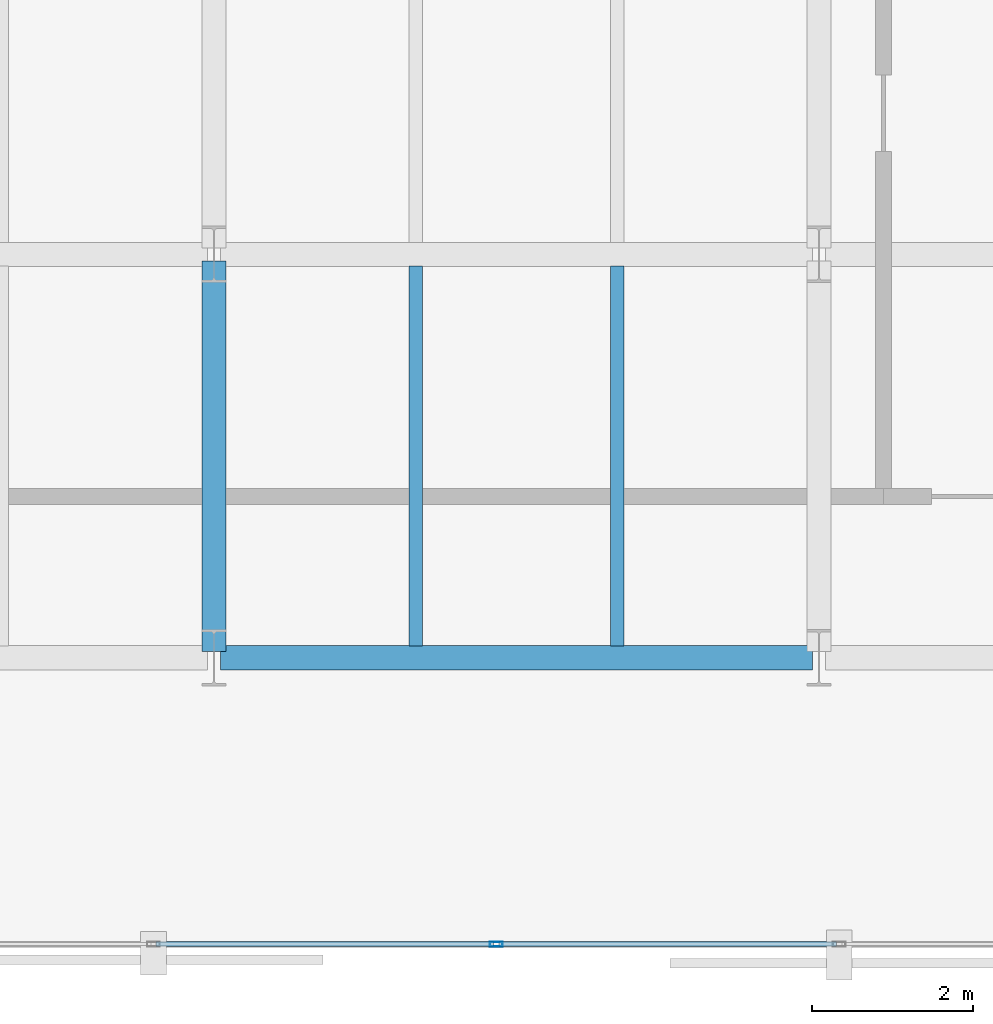
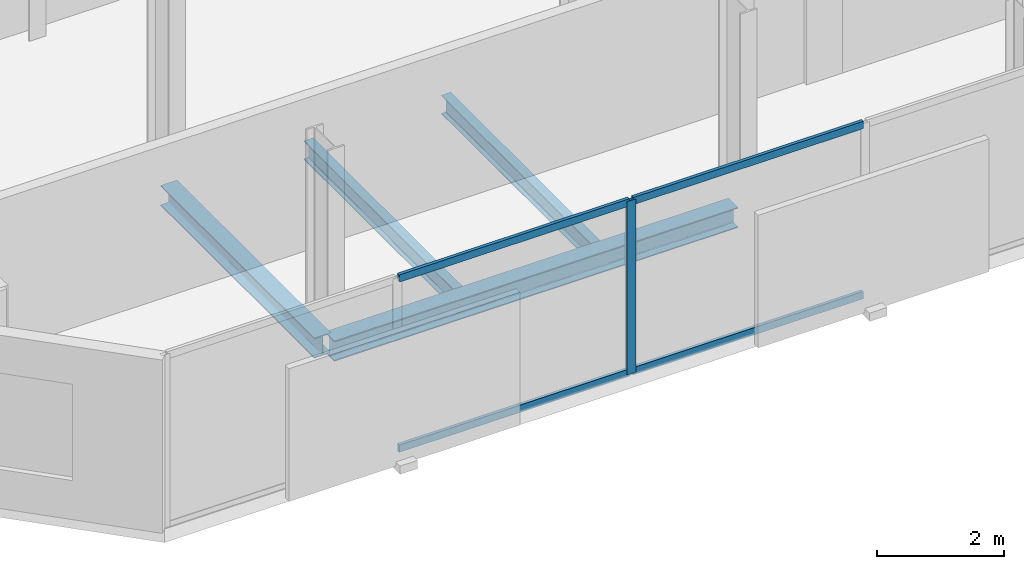
# One storey, part 4 of 32: 5 members, 4 beams, 1 element without a shape of its own.
"""IFC4 building model written with IfcOpenShell, lengths in metres."""

from ifc_helpers import new_model, si_unit, direction, frame, origin, origin_2d, place, context, subcontext, project, spatial, hollow_rectangle, i_section, extrude, material, layer, layer_set, material_profile, profile_set, type_object, element, aggregate, save


model = new_model("IFC4")

# Units and contexts
model_context = context("Model", 3, precision=1e-05, world=origin(), true_north=direction((0.0, 1.0)))
body_context = subcontext(model_context, "Body", "Model", "MODEL_VIEW")
ifc_project = project(units=[si_unit("LENGTHUNIT", "METRE"), si_unit("AREAUNIT", "SQUARE_METRE"), si_unit("VOLUMEUNIT", "CUBIC_METRE"), si_unit("PLANEANGLEUNIT", "RADIAN"), si_unit("MASSUNIT", "GRAM", prefix="KILO")], contexts=[model_context])

# Site, building, storey
site_placement = place(None, origin())
site = spatial("IfcSite", under=ifc_project, at=site_placement, CompositionType="ELEMENT")
building_placement = place(site_placement, origin())
building = spatial("IfcBuilding", under=site, at=building_placement, Name="Catumbela Crestline Tower", CompositionType="ELEMENT")
storey_placement = place(building_placement, frame((0.0, 0.0, 136.8)))
storey = spatial("IfcBuildingStorey", under=building, at=storey_placement, Name="L35", CompositionType="ELEMENT", Elevation=136.8)

# Beams
ifc_material_1 = material(Name="Structural steel S355J2", Category="steel")
ifc_material_profile_1 = material_profile(ifc_material_1, i_section(OverallWidth=0.3, OverallDepth=0.39, WebThickness=0.011, FlangeThickness=0.019, FilletRadius=0.027, at=origin_2d()), Name="HEA 400")
ifc_profile_set_1 = profile_set([ifc_material_profile_1], Name="Structural steel S355J2")
beam_type_1 = type_object("IfcBeamType", Name="BG-HEA400", PredefinedType="BEAM", material=ifc_profile_set_1)
beam_1_placement = place(storey_placement, frame((8.58, 8.6, -0.455), z_axis=(1.0, 0.0, 0.0), x_axis=(0.0, 1.0, 0.0)))
element("IfcBeam", 1, at=beam_1_placement, inside=storey, type_object=beam_type_1, Name="L35 Beam BM-L35-WEW44", PredefinedType="BEAM", context=body_context, shape_type="SweptSolid", body=[
    extrude(i_section(OverallWidth=0.3, OverallDepth=0.39, WebThickness=0.011, FlangeThickness=0.019, FilletRadius=0.027, at=origin_2d()), origin(), (0.0, 0.0, 1.0), 7.34),
])
beam_2_placement = place(storey_placement, frame((8.5, 8.68, -0.455), z_axis=(0.0, 1.0, 0.0), x_axis=(-1.0, 0.0, 0.0)))
element("IfcBeam", 2, at=beam_2_placement, inside=storey, type_object=beam_type_1, Name="L35 Beam BM-L35-WNS55", PredefinedType="BEAM", context=body_context, shape_type="SweptSolid", body=[
    extrude(i_section(OverallWidth=0.3, OverallDepth=0.39, WebThickness=0.011, FlangeThickness=0.019, FilletRadius=0.027, at=origin_2d()), origin(), (0.0, 0.0, 1.0), 4.84),
])
ifc_material_profile_2 = material_profile(ifc_material_1, i_section(OverallWidth=0.17, OverallDepth=0.36, WebThickness=0.008, FlangeThickness=0.0127, FilletRadius=0.018, at=origin_2d()), Name="IPE 360")
ifc_profile_set_2 = profile_set([ifc_material_profile_2], Name="Structural steel S355J2")
beam_type_2 = type_object("IfcBeamType", Name="BJ-IPE360", PredefinedType="JOIST", material=ifc_profile_set_2)
for number, where, z_axis, x_axis, name in (
    (3, (11.0, 8.747, -0.44), (0.0, 1.0, 0.0), (-1.0, 0.0, 0.0), "L35 Joist JS-L35-WG65"),
    (4, (13.5, 8.747, -0.44), (0.0, 1.0, 0.0), (-1.0, 0.0, 0.0), "L35 Joist JS-L35-WG66"),
):
    element("IfcBeam", number, at=place(storey_placement, frame(where, z_axis=z_axis, x_axis=x_axis)), inside=storey, type_object=beam_type_2, Name=name, PredefinedType="JOIST", context=body_context, shape_type="SweptSolid", body=[
        extrude(i_section(OverallWidth=0.17, OverallDepth=0.36, WebThickness=0.008, FlangeThickness=0.0127, FilletRadius=0.018, at=origin_2d()), origin(), (0.0, 0.0, 1.0), 4.706),
    ])

# Curtain wall, members
ifc_material_2 = material(Name="Aluminium alloy AW-6060-T66", Category="aluminium")
ifc_layer = layer(ifc_material_2, 0.18, Name="Aluminium alloy AW-6060-T66")
ifc_layer_set = layer_set([ifc_layer], Name="Aluminium alloy AW-6060-T66")
curtain_wall_type = type_object("IfcCurtainWallType", Name="CWU-Z2", PredefinedType="USERDEFINED", material=ifc_layer_set)
curtain_wall_placement = place(storey_placement, origin())
curtain_wall = element("IfcCurtainWall", 5, at=curtain_wall_placement, inside=storey, type_object=curtain_wall_type, Name="L35 Unitised Curtain Wall CW-L35-E0S1", ObjectType="UNITISED", PredefinedType="USERDEFINED")
ifc_material_profile_3 = material_profile(ifc_material_2, hollow_rectangle(XDim=0.06, YDim=0.16, WallThickness=0.004, at=origin_2d()), Name="ALU 160x60x4")
ifc_profile_set_3 = profile_set([ifc_material_profile_3], Name="Aluminium alloy AW-6060-T66")
member_type_1 = type_object("IfcMemberType", Name="MUL-160X60", PredefinedType="MULLION", material=ifc_profile_set_3)
member_1_placement = place(storey_placement, frame((12.0, 5.05, 0.0), z_axis=(0.0, 0.0, 1.0), x_axis=(0.0, 1.0, 0.0)))
member_1 = element("IfcMember", 6, at=member_1_placement, type_object=member_type_1, Name="CWU-Z2 mullion 3", PredefinedType="MULLION", context=body_context, shape_type="SweptSolid", body=[
    extrude(hollow_rectangle(XDim=0.06, YDim=0.16, WallThickness=0.004, at=origin_2d()), origin(), (0.0, 0.0, 1.0), 3.33),
])
ifc_material_profile_4 = material_profile(ifc_material_2, hollow_rectangle(XDim=0.06, YDim=0.14, WallThickness=0.004, at=origin_2d()), Name="ALU 140x60x4")
ifc_profile_set_4 = profile_set([ifc_material_profile_4], Name="Aluminium alloy AW-6060-T66")
member_type_2 = type_object("IfcMemberType", Name="TRN-140X60", PredefinedType="USERDEFINED", material=ifc_profile_set_4)
member_2_placement = place(storey_placement, frame((7.7825, 5.05, 0.03), z_axis=(1.0, 0.0, 0.0), x_axis=(0.0, 1.0, 0.0)))
member_2 = element("IfcMember", 7, at=member_2_placement, type_object=member_type_2, Name="CWU-Z2 transom 2.1", ObjectType="TRANSOM", PredefinedType="USERDEFINED", context=body_context, shape_type="SweptSolid", body=[
    extrude(hollow_rectangle(XDim=0.06, YDim=0.14, WallThickness=0.004, at=origin_2d()), origin(), (0.0, 0.0, 1.0), 4.185),
])
member_3_placement = place(storey_placement, frame((7.7825, 5.05, 3.3), z_axis=(1.0, 0.0, 0.0), x_axis=(0.0, 1.0, 0.0)))
member_3 = element("IfcMember", 8, at=member_3_placement, type_object=member_type_2, Name="CWU-Z2 transom 2.2", ObjectType="TRANSOM", PredefinedType="USERDEFINED", context=body_context, shape_type="SweptSolid", body=[
    extrude(hollow_rectangle(XDim=0.06, YDim=0.14, WallThickness=0.004, at=origin_2d()), origin(), (0.0, 0.0, 1.0), 4.185),
])
member_4_placement = place(storey_placement, frame((12.0325, 5.05, 0.03), z_axis=(1.0, 0.0, 0.0), x_axis=(0.0, 1.0, 0.0)))
member_4 = element("IfcMember", 9, at=member_4_placement, type_object=member_type_2, Name="CWU-Z2 transom 3.1", ObjectType="TRANSOM", PredefinedType="USERDEFINED", context=body_context, shape_type="SweptSolid", body=[
    extrude(hollow_rectangle(XDim=0.06, YDim=0.14, WallThickness=0.004, at=origin_2d()), origin(), (0.0, 0.0, 1.0), 4.185),
])
member_5_placement = place(storey_placement, frame((12.0325, 5.05, 3.3), z_axis=(1.0, 0.0, 0.0), x_axis=(0.0, 1.0, 0.0)))
member_5 = element("IfcMember", 10, at=member_5_placement, type_object=member_type_2, Name="CWU-Z2 transom 3.2", ObjectType="TRANSOM", PredefinedType="USERDEFINED", context=body_context, shape_type="SweptSolid", body=[
    extrude(hollow_rectangle(XDim=0.06, YDim=0.14, WallThickness=0.004, at=origin_2d()), origin(), (0.0, 0.0, 1.0), 4.185),
])
aggregate(curtain_wall, [member_1, member_2, member_3, member_4, member_5])

save(model, "model.ifc")
